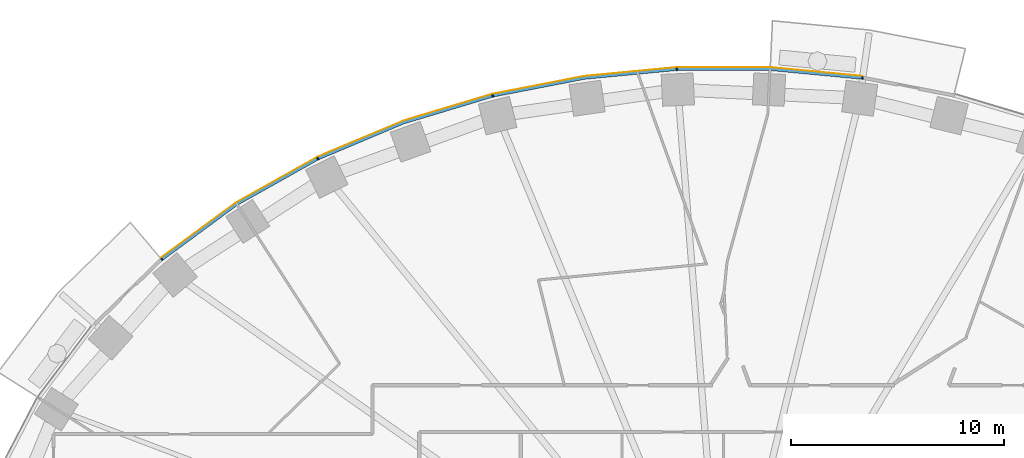
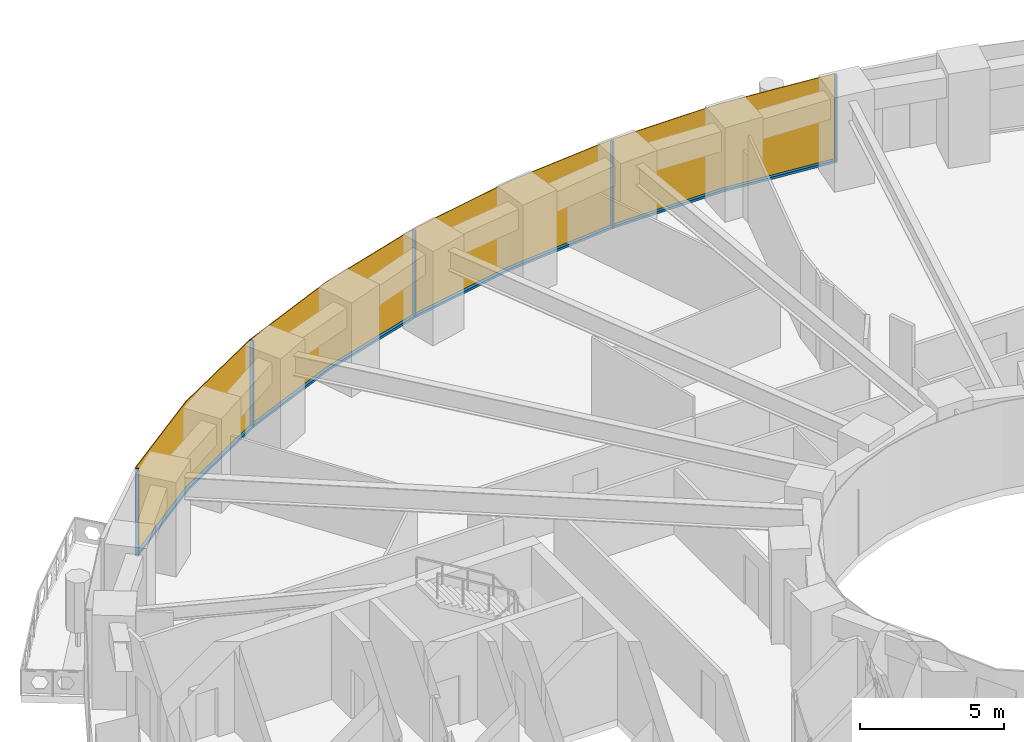
# One storey, part 11 of 16: 9 members, 1 curtain wall.
"""IFC4 building model written with IfcOpenShell, lengths in metres."""

from ifc_helpers import new_model, si_unit, direction, frame, origin, origin_2d, place, context, subcontext, project, spatial, polyline, rectangle, outline, extrude, material, layer, layer_set, material_profile, profile_set, type_object, element, aggregate, save


model = new_model("IFC4")

# Units and contexts
model_context = context("Model", 3, precision=1e-05, world=origin(), true_north=direction((0.0, 1.0)))
body_context = subcontext(model_context, "Body", "Model", "MODEL_VIEW")
ifc_project = project(units=[si_unit("LENGTHUNIT", "METRE"), si_unit("AREAUNIT", "SQUARE_METRE"), si_unit("VOLUMEUNIT", "CUBIC_METRE"), si_unit("PLANEANGLEUNIT", "RADIAN"), si_unit("MASSUNIT", "GRAM", prefix="KILO")], contexts=[model_context])

# Member
ifc_material_1 = material(Name="Aluminium 6063-T6 black anodised", Category="aluminium")
ifc_material_profile = material_profile(ifc_material_1, rectangle(XDim=0.1201171875, YDim=0.06005859375, at=origin_2d()), Name="120x60")
ifc_profile_set = profile_set([ifc_material_profile], Name="Aluminium 6063-T6 black anodised")
member_type_1 = type_object("IfcMemberType", Name="ENV-MULLION-A-120", PredefinedType="MULLION", material=ifc_profile_set)
site_placement = place(None, origin())
building_placement = place(site_placement, origin())
storey_placement = place(building_placement, frame((0.0, 0.0, 46.5)))
member_1_placement = place(storey_placement, frame((6.54638671875, 27.440185546875, 0.0), z_axis=(0.0, 0.0, 1.0), x_axis=(-0.143082012705, -0.989710835366, 0.0)))
member_1 = element("IfcMember", 1, at=member_1_placement, type_object=member_type_1, Name="Mullion A radial 11", PredefinedType="MULLION", context=body_context, shape_type="SweptSolid", body=[
    extrude(rectangle(XDim=0.1201171875, YDim=0.06005859375, at=origin_2d()), origin(), (0.0, 0.0, 1.0), 3.699951171875),
])

member_2_placement = place(storey_placement, frame((-2.188720703125, 27.856201171875, 0.0), z_axis=(0.0, 0.0, 1.0), x_axis=(0.047557873581, -0.998868484166, 0.0)))
member_2 = element("IfcMember", 2, at=member_2_placement, type_object=member_type_1, Name="Mullion A radial 13", PredefinedType="MULLION", context=body_context, shape_type="SweptSolid", body=[
    extrude(rectangle(XDim=0.1201171875, YDim=0.06005859375, at=origin_2d()), origin(), (0.0, 0.0, 1.0), 3.699951171875),
])

member_3_placement = place(storey_placement, frame((-10.84326171875, 26.60498046875, 0.0), z_axis=(0.0, 0.0, 1.0), x_axis=(0.239799081534, -0.970822538106, 0.0)))
member_3 = element("IfcMember", 3, at=member_3_placement, type_object=member_type_1, Name="Mullion A radial 15", PredefinedType="MULLION", context=body_context, shape_type="SweptSolid", body=[
    extrude(rectangle(XDim=0.1201171875, YDim=0.06005859375, at=origin_2d()), origin(), (0.0, 0.0, 1.0), 3.699951171875),
])

member_4_placement = place(storey_placement, frame((-19.06787109375, 23.6474609375, 0.0), z_axis=(0.0, 0.0, 1.0), x_axis=(0.439237769837, -0.898370848563, 0.0)))
member_4 = element("IfcMember", 4, at=member_4_placement, type_object=member_type_1, Name="Mullion A radial 17", PredefinedType="MULLION", context=body_context, shape_type="SweptSolid", body=[
    extrude(rectangle(XDim=0.1201171875, YDim=0.06005859375, at=origin_2d()), origin(), (0.0, 0.0, 1.0), 3.699951171875),
])

member_5_placement = place(storey_placement, frame((-26.403564453125, 18.9130859375, 0.0), z_axis=(0.0, 0.0, 1.0), x_axis=(0.646451313783, -0.762955240435, 0.0)))
member_5 = element("IfcMember", 5, at=member_5_placement, type_object=member_type_1, Name="Mullion A radial 19", PredefinedType="MULLION", context=body_context, shape_type="SweptSolid", body=[
    extrude(rectangle(XDim=0.1201171875, YDim=0.06005859375, at=origin_2d()), origin(), (0.0, 0.0, 1.0), 3.699951171875),
])

ifc_material_2 = material(Name="Aluminium 6063-T6 black anodised", Category="aluminium")
member_type_2 = type_object("IfcMemberType", Name="ENV-TRANSOM-A", PredefinedType="USERDEFINED", material=ifc_material_2)
member_6_placement = place(storey_placement, origin())
member_6 = element("IfcMember", 6, at=member_6_placement, type_object=member_type_2, Name="Transom A radial 11-13", ObjectType="TRANSOM", PredefinedType="USERDEFINED", context=body_context, shape_type="SweptSolid", body=[
    extrude(outline(polyline([(6.527099609375, 27.502197265625), (2.191650390625, 27.916015625), (-2.163818359375, 27.916015625), (-2.157958984375, 27.7958984375), (2.185791015625, 27.7958984375), (6.510009765625, 27.38330078125), (6.527099609375, 27.502197265625)])), origin(), (0.0, 0.0, 1.0), 0.10009765625),
])

member_7_placement = place(storey_placement, origin())
member_7 = element("IfcMember", 7, at=member_7_placement, type_object=member_type_2, Name="Transom A radial 13-15", ObjectType="TRANSOM", PredefinedType="USERDEFINED", context=body_context, shape_type="SweptSolid", body=[
    extrude(outline(polyline([(-2.219482421875, 27.913330078125), (-6.55517578125, 27.49951171875), (-10.830078125, 26.66845703125), (-10.80126953125, 26.552001953125), (-6.537841796875, 27.380615234375), (-2.2138671875, 27.793212890625), (-2.219482421875, 27.913330078125)])), origin(), (0.0, 0.0, 1.0), 0.10009765625),
])

member_8_placement = place(storey_placement, origin())
member_8 = element("IfcMember", 8, at=member_8_placement, type_object=member_type_2, Name="Transom A radial 15-17", ObjectType="TRANSOM", PredefinedType="USERDEFINED", context=body_context, shape_type="SweptSolid", body=[
    extrude(outline(polyline([(-10.884521484375, 26.655029296875), (-15.054443359375, 25.400146484375), (-19.068359375, 23.71240234375), (-19.015380859375, 23.604248046875), (-15.013916015625, 25.287109375), (-10.855712890625, 26.53857421875), (-10.884521484375, 26.655029296875)])), origin(), (0.0, 0.0, 1.0), 0.10009765625),
])

member_9_placement = place(storey_placement, origin())
member_9 = element("IfcMember", 9, at=member_9_placement, type_object=member_type_2, Name="Transom A radial 17-19", ObjectType="TRANSOM", PredefinedType="USERDEFINED", context=body_context, shape_type="SweptSolid", body=[
    extrude(outline(polyline([(-19.11865234375, 23.687744140625), (-22.9150390625, 21.556884765625), (-26.419921875, 18.975341796875), (-26.342041015625, 18.883544921875), (-22.85009765625, 21.455810546875), (-19.06591796875, 23.57958984375), (-19.11865234375, 23.687744140625)])), origin(), (0.0, 0.0, 1.0), 0.10009765625),
])

# Site, building, storey
site = spatial("IfcSite", under=ifc_project, at=site_placement, CompositionType="ELEMENT")
building = spatial("IfcBuilding", under=site, at=building_placement, Name="Noorbagh Ring Tower", CompositionType="ELEMENT")
storey = spatial("IfcBuildingStorey", under=building, at=storey_placement, Name="L09", CompositionType="ELEMENT", Elevation=46.5)

# Curtain wall
ifc_material_3 = material(Name="Glass dark tinted laminated", Category="glass")
ifc_layer = layer(ifc_material_3, 0.031982421875)
ifc_layer_set = layer_set([ifc_layer], Name="Glass dark tinted laminated")
curtain_wall_type = type_object("IfcCurtainWallType", Name="ENV-CW-A", PredefinedType="NOTDEFINED", material=ifc_layer_set)
curtain_wall_placement = place(storey_placement, origin())
curtain_wall = element("IfcCurtainWall", 10, at=curtain_wall_placement, inside=storey, type_object=curtain_wall_type, Name="Curtain wall A R11", PredefinedType="NOTDEFINED", context=body_context, shape_type="SweptSolid", body=[
    extrude(outline(polyline([(6.539794921875, 27.533203125), (2.193115234375, 27.947998046875), (-2.193115234375, 27.947998046875), (-6.559814453125, 27.53125), (-10.865234375, 26.6943359375), (-15.065185546875, 25.430419921875), (-19.108154296875, 23.730224609375), (-22.9326171875, 21.583740234375), (-26.447021484375, 18.9951171875), (-26.42626953125, 18.970703125), (-22.9150390625, 21.556884765625), (-19.093994140625, 23.701416015625), (-15.054443359375, 25.400146484375), (-10.857666015625, 26.6630859375), (-6.55517578125, 27.49951171875), (-2.191650390625, 27.916015625), (2.191650390625, 27.916015625), (6.53515625, 27.50146484375), (6.539794921875, 27.533203125)])), origin(), (0.0, 0.0, 1.0), 3.699951171875),
])

aggregate(curtain_wall, [member_1, member_2, member_3, member_4, member_5, member_6, member_7, member_8, member_9])

save(model, "model.ifc")
